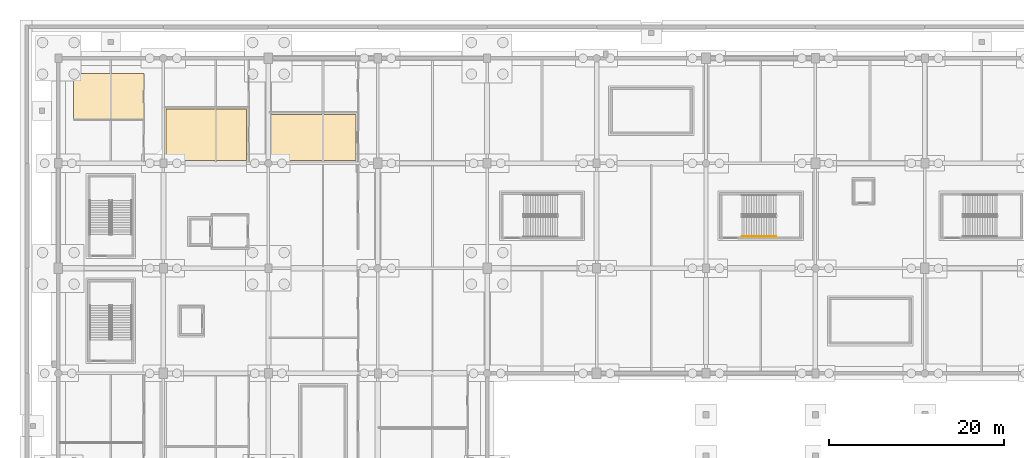
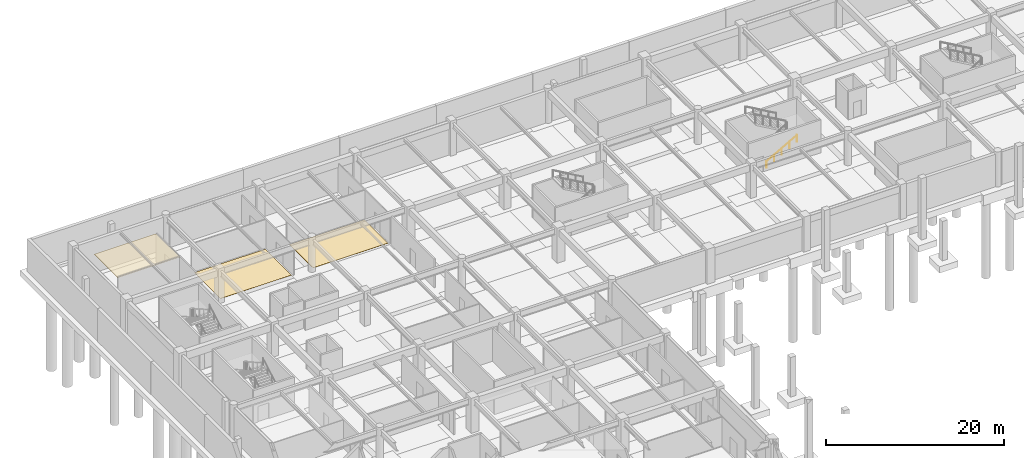
# One storey, part 53 of 56: 3 coverings, 1 railing.
"""IFC4 building model written with IfcOpenShell, lengths in metres."""

from ifc_helpers import new_model, si_unit, direction, frame, origin, origin_2d, place, context, subcontext, project, spatial, polyline, circle, outline, extrude, material, layer, layer_set, type_object, element, save


model = new_model("IFC4")

# Units and contexts
model_context = context("Model", 3, precision=1e-05, world=origin(), true_north=direction((0.0, 1.0)))
body_context = subcontext(model_context, "Body", "Model", "MODEL_VIEW")
ifc_project = project(units=[si_unit("LENGTHUNIT", "METRE"), si_unit("AREAUNIT", "SQUARE_METRE"), si_unit("VOLUMEUNIT", "CUBIC_METRE"), si_unit("PLANEANGLEUNIT", "RADIAN"), si_unit("MASSUNIT", "GRAM", prefix="KILO")], contexts=[model_context])

# Site, building, storey
site_placement = place(None, origin())
site = spatial("IfcSite", under=ifc_project, at=site_placement, CompositionType="ELEMENT")
building_placement = place(site_placement, origin())
building = spatial("IfcBuilding", under=site, at=building_placement, Name="Kazenohara Klinker Stadium", CompositionType="ELEMENT")
storey_placement = place(building_placement, frame((0.0, 0.0, -4.800048828125)))
storey = spatial("IfcBuildingStorey", under=building, at=storey_placement, Name="B01", CompositionType="ELEMENT", Elevation=-4.800048828125)

# Coverings
ifc_material_1 = material(Name="Slatted Hokkaido cedar acoustic baffle ceiling", Category="wood")
ifc_layer_1 = layer(ifc_material_1, 0.0400390625)
ifc_layer_set_1 = layer_set([ifc_layer_1], Name="Slatted Hokkaido cedar acoustic baffle ceiling")
covering_type_1 = type_object("IfcCoveringType", Name="COV-CEIL-02", PredefinedType="CEILING", material=ifc_layer_set_1)
covering_1_placement = place(storey_placement, frame((0.0, 0.0, 3.739990234375)))
element("IfcCovering", 1, at=covering_1_placement, inside=storey, type_object=covering_type_1, Name="Suspended acoustic ceiling CL02 Sports Hydrotherapy Recovery Clinic B01-0013B", PredefinedType="CEILING", context=body_context, shape_type="SweptSolid", body=[
    extrude(outline(polyline([(1.72998046875, 160.965087890625), (9.7900390625, 160.965087890625), (9.7900390625, 166.27001953125), (1.72998046875, 166.27001953125), (1.72998046875, 160.965087890625)])), origin(), (0.0, 0.0, 1.0), 0.0400390625),
])
ifc_material_2 = material(Name="Cushioned EPDM sports rubber flooring", Category="rubber")
ifc_layer_2 = layer(ifc_material_2, 0.014892578125)
ifc_layer_set_2 = layer_set([ifc_layer_2], Name="Cushioned EPDM sports rubber flooring")
covering_type_2 = type_object("IfcCoveringType", Name="COV-FLR-02", PredefinedType="FLOORING", material=ifc_layer_set_2)
covering_2_placement = place(storey_placement, origin())
element("IfcCovering", 2, at=covering_2_placement, inside=storey, type_object=covering_type_2, Name="Interior floor finish FL02 Doping Control Medical Laboratory B01-0113A", PredefinedType="FLOORING", context=body_context, shape_type="SweptSolid", body=[
    extrude(outline(polyline([(12.330078125, 156.31005859375), (21.52001953125, 156.31005859375), (21.52001953125, 162.1787109375), (12.330078125, 162.1787109375), (12.330078125, 156.31005859375)])), origin(), (0.0, 0.0, 1.0), 0.01513671875),
])
covering_3_placement = place(storey_placement, origin())
element("IfcCovering", 3, at=covering_3_placement, inside=storey, type_object=covering_type_2, Name="Interior floor finish FL02 First-Team Athlete Changing Room B01-0213A", PredefinedType="FLOORING", context=body_context, shape_type="SweptSolid", body=[
    extrude(outline(polyline([(24.330078125, 156.31005859375), (34.02001953125, 156.31005859375), (34.02001953125, 161.5947265625), (24.330078125, 161.5947265625), (24.330078125, 156.31005859375)])), origin(), (0.0, 0.0, 1.0), 0.01513671875),
])

# Railing
ifc_material_3 = material(Name="Brushed stainless steel 304 handrail", Category="steel")
ifc_layer_3 = layer(ifc_material_3, 0.050048828125)
ifc_layer_set_3 = layer_set([ifc_layer_3], Name="Brushed stainless steel 304 handrail")
railing_type = type_object("IfcRailingType", Name="RL-HND-900", PredefinedType="HANDRAIL", material=ifc_layer_set_3)
railing_placement = place(storey_placement, frame((78.090087890625, 147.64990234375, 0.16015625)))
element("IfcRailing", 4, at=railing_placement, inside=storey, type_object=railing_type, Name="B01 ST09 stair handrail 1", PredefinedType="HANDRAIL", context=body_context, shape_type="SweptSolid", body=[
    extrude(circle(Radius=0.02392578125, at=origin_2d()), frame((0.0, 0.0, 0.8759765625), z_axis=(0.868239814368, 0.0, 0.496144761885), x_axis=(0.0, 1.0, 0.0)), (0.0, 0.0, 1.0), 4.514892578125),
    extrude(circle(Radius=0.02099609375, at=origin_2d()), origin(), (0.0, 0.0, 1.0), 0.851806640625),
    extrude(circle(Radius=0.02099609375, at=origin_2d()), frame((0.97998046875, 0.0, 0.56005859375)), (0.0, 0.0, 1.0), 0.851806640625),
    extrude(circle(Radius=0.02099609375, at=origin_2d()), frame((1.9599609375, 0.0, 1.1201171875)), (0.0, 0.0, 1.0), 0.851806640625),
    extrude(circle(Radius=0.02099609375, at=origin_2d()), frame((2.93994140625, 0.0, 1.679931640625)), (0.0, 0.0, 1.0), 0.851806640625),
    extrude(circle(Radius=0.02099609375, at=origin_2d()), frame((3.919921875, 0.0, 2.239990234375)), (0.0, 0.0, 1.0), 0.851806640625),
])

save(model, "model.ifc")
